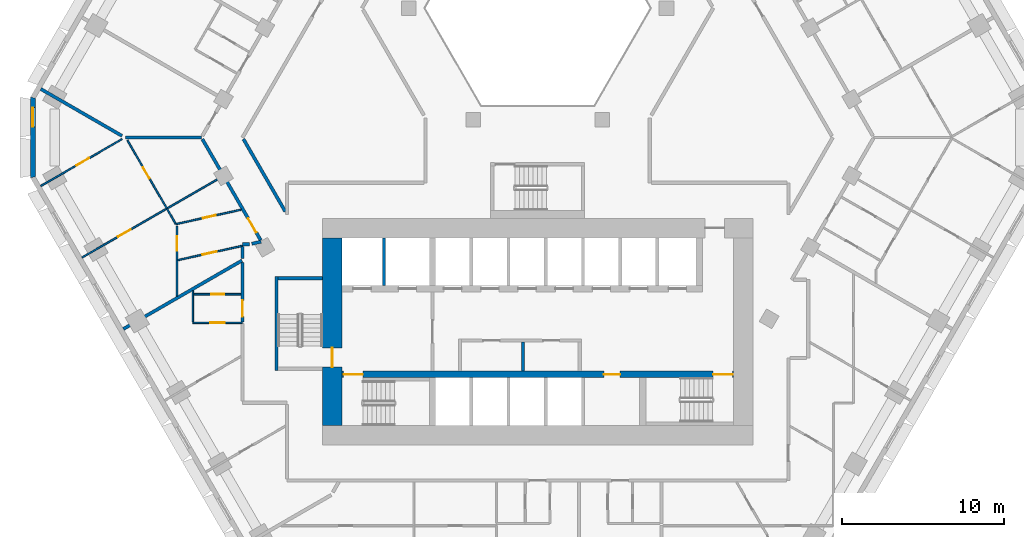
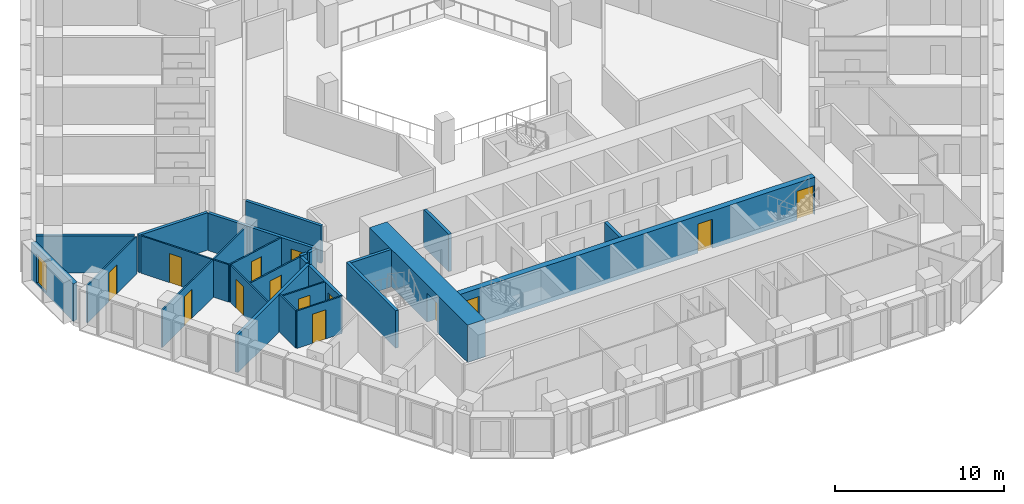
# One storey, part 4 of 16: 26 walls, 14 doors, 1 window, 15 openings.
"""IFC4 building model written with IfcOpenShell, lengths in metres."""

import ifcopenshell
import ifcopenshell.guid

model = None  # the IFC model being written
_history = None  # IfcOwnerHistory: only IFC2X3 demands one
_inside = {}  # id of a spatial element -> (the spatial element, [elements in it])
_under = {}  # id of a project, library or spatial element -> (it, [spatial elements below it])
_declared = {}  # id of a project -> (the project, [libraries it declares])
_typed = {}  # id of a type object -> (the type object, [elements of that type])
_made_of = {}  # id of a material, layer set ... -> (it, [elements and type objects made of it])


def new_model(schema):
    """Start an empty IFC model of exactly this schema.

    Asked for "IFC4X3", IfcOpenShell would pick the latest addendum, in which some entities
    have other attributes; the version numbers below select the first issue.
    IFC2X3 requires an IfcOwnerHistory on every rooted entity: one is made here for all.
    """
    global model, _history
    if schema == "IFC4X3":
        model = ifcopenshell.file(schema_version=(4, 3, 0, 0))
    else:
        model = ifcopenshell.file(schema=schema)
    _inside.clear()
    _under.clear()
    _declared.clear()
    _typed.clear()
    _made_of.clear()
    _history = None
    if model.schema == "IFC2X3":
        org = make("IfcOrganization", Name="unknown")
        user = make(
            "IfcPersonAndOrganization",
            ThePerson=make("IfcPerson", FamilyName="unknown"),
            TheOrganization=org,
        )
        app = make(
            "IfcApplication",
            ApplicationDeveloper=org,
            Version="unknown",
            ApplicationFullName="unknown",
            ApplicationIdentifier="unknown",
        )
        _history = make(
            "IfcOwnerHistory",
            OwningUser=user,
            OwningApplication=app,
            ChangeAction="ADDED",
            CreationDate=0,
        )
    return model


def make(cls, **values):
    """One entity of the class cls with the attributes given. An attribute that is None is left unset."""
    return model.create_entity(
        cls, **{name: value for name, value in values.items() if value is not None}
    )


def rooted(cls, **values):
    """An entity with a GlobalId (a new one), such as an element, a storey or a relation."""
    return make(cls, GlobalId=ifcopenshell.guid.new(), OwnerHistory=_history, **values)


def si_unit(unit_type, name, prefix=None):
    """IfcSIUnit, for example si_unit("LENGTHUNIT", "METRE", prefix="MILLI")."""
    return make("IfcSIUnit", UnitType=unit_type, Prefix=prefix, Name=name)


def assignment(units):
    """IfcUnitAssignment: the units of a project."""
    return None if units is None else make("IfcUnitAssignment", Units=units)


def point(xyz):
    """IfcCartesianPoint."""
    return None if xyz is None else make("IfcCartesianPoint", Coordinates=xyz)


def direction(xyz):
    """IfcDirection."""
    return None if xyz is None else make("IfcDirection", DirectionRatios=xyz)


def frame(location, z_axis=None, x_axis=None):
    """IfcAxis2Placement3D, a coordinate frame: its origin and axes. An axis left out is left unset."""
    return make(
        "IfcAxis2Placement3D",
        Location=point(location),
        Axis=direction(z_axis),
        RefDirection=direction(x_axis),
    )


def frame_2d(location, x_axis=None):
    """IfcAxis2Placement2D, a coordinate frame in the plane: its origin and x axis."""
    return make(
        "IfcAxis2Placement2D", Location=point(location), RefDirection=direction(x_axis)
    )


def origin():
    """The frame at (0, 0, 0) with its axes left unset."""
    return frame((0.0, 0.0, 0.0))


def place(relative_to, where):
    """IfcLocalPlacement: puts the frame where relative to a parent placement (None: the world)."""
    return make(
        "IfcLocalPlacement", PlacementRelTo=relative_to, RelativePlacement=where
    )


def context(
    kind, dimensions, precision=None, world=None, true_north=None, identifier=None
):
    """IfcGeometricRepresentationContext, for example the 3D "Model" context."""
    return make(
        "IfcGeometricRepresentationContext",
        ContextIdentifier=identifier,
        ContextType=kind,
        CoordinateSpaceDimension=dimensions,
        Precision=precision,
        WorldCoordinateSystem=world,
        TrueNorth=true_north,
    )


def subcontext(parent, identifier, kind, view, scale=None):
    """IfcGeometricRepresentationSubContext, for example "Body" below "Model"."""
    return make(
        "IfcGeometricRepresentationSubContext",
        ContextIdentifier=identifier,
        ContextType=kind,
        ParentContext=parent,
        TargetScale=scale,
        TargetView=view,
    )


def project(units=None, contexts=None):
    """IfcProject with its units and contexts."""
    return rooted(
        "IfcProject",
        Name="project",
        RepresentationContexts=contexts,
        UnitsInContext=assignment(units),
    )


def spatial(cls, under=None, at=None, **own):
    """A site, building, storey or space (cls), placed at a placement, below another one or the project."""
    s = rooted(cls, ObjectPlacement=at, **own)
    if under is not None:
        _under.setdefault(under.id(), (under, []))[1].append(s)
    return s


def polyline(points):
    """IfcPolyline through the points."""
    return make("IfcPolyline", Points=[point(p) for p in points])


def profile(cls, at=None, kind="AREA", **sizes):
    """A parametric profile (cls). Its sizes go by their IFC names, for example OverallWidth=200.0."""
    return make(cls, ProfileType=kind, Position=at, **sizes)


def rectangle(**sizes):
    """IfcRectangleProfileDef."""
    return profile("IfcRectangleProfileDef", **sizes)


def outline(outer, holes=None, kind="AREA"):
    """IfcArbitraryClosedProfileDef: a profile drawn as a closed curve; with holes, ...WithVoids."""
    if holes is None:
        return make("IfcArbitraryClosedProfileDef", ProfileType=kind, OuterCurve=outer)
    return make(
        "IfcArbitraryProfileDefWithVoids",
        ProfileType=kind,
        OuterCurve=outer,
        InnerCurves=holes,
    )


def extrude(swept, where, along, depth):
    """IfcExtrudedAreaSolid: the profile swept, set in the frame where, extruded along a direction by depth."""
    return make(
        "IfcExtrudedAreaSolid",
        SweptArea=swept,
        Position=where,
        ExtrudedDirection=direction(along),
        Depth=depth,
    )


def shape(context_of_items, identifier, shape_type, items):
    """IfcShapeRepresentation: the items that make up one representation, for example the "Body"."""
    return make(
        "IfcShapeRepresentation",
        ContextOfItems=context_of_items,
        RepresentationIdentifier=identifier,
        RepresentationType=shape_type,
        Items=items,
    )


def material(Name=None, Category=None):
    """IfcMaterial."""
    return make("IfcMaterial", Name=Name, Category=Category)


def layer(
    of_material, thickness, ventilated=None, Name=None, Category=None, Priority=None
):
    """IfcMaterialLayer: one layer of a wall or slab, of a material (None: an air gap)."""
    return make(
        "IfcMaterialLayer",
        Material=of_material,
        LayerThickness=thickness,
        IsVentilated=ventilated,
        Name=Name,
        Category=Category,
        Priority=Priority,
    )


def layer_set(layers, Name=None):
    """IfcMaterialLayerSet."""
    return make("IfcMaterialLayerSet", MaterialLayers=layers, LayerSetName=Name)


def made_of(thing, what):
    """Note that an element or type object is made of a material, layer set ...; save() writes the relation."""
    if what is not None:
        _made_of.setdefault(what.id(), (what, []))[1].append(thing)
    return thing


def type_object(cls, material=None, **own):
    """A type object (cls), such as IfcWallType, which elements share."""
    return made_of(rooted(cls, **own), material)


def element(
    cls,
    number,
    at=None,
    inside=None,
    cuts=None,
    type_object=None,
    material=None,
    context=None,
    identifier="Body",
    shape_type=None,
    held_by="IfcProductDefinitionShape",
    body=None,
    shapes=None,
    **own,
):
    """One element of the class cls, such as IfcWall. Its Tag is "e" and its number.

    at: its placement. inside: the storey or other place that contains it. cuts: it is an
    opening in that element (IfcRelVoidsElement). A single representation is given by context,
    identifier, shape_type and body (its items); several are given by shapes. held_by: the class
    of the entity that holds the representations. save() writes the other relations.
    """
    e = rooted(cls, Tag="e%d" % number, ObjectPlacement=at, **own)
    if body is not None:
        shapes = [shape(context, identifier, shape_type, body)]
    if shapes is not None:
        e.Representation = make(held_by, Representations=shapes)
    if inside is not None:
        _inside.setdefault(inside.id(), (inside, []))[1].append(e)
    if cuts is not None:
        rooted(
            "IfcRelVoidsElement", RelatingBuildingElement=cuts, RelatedOpeningElement=e
        )
    if type_object is not None:
        _typed.setdefault(type_object.id(), (type_object, []))[1].append(e)
    return made_of(e, material)


def fill(opening, filler):
    """IfcRelFillsElement: the door or window that sits in an opening."""
    return rooted(
        "IfcRelFillsElement",
        RelatingOpeningElement=opening,
        RelatedBuildingElement=filler,
    )


def aggregate(whole, parts):
    """IfcRelAggregates: a whole, such as a stair, and the parts it consists of."""
    return rooted("IfcRelAggregates", RelatingObject=whole, RelatedObjects=parts)


def save(model, path):
    """Write the relations noted so far, then the file.

    IfcRelAggregates (storeys below a building ...), IfcRelContainedInSpatialStructure (elements
    in a storey), IfcRelDefinesByType, IfcRelAssociatesMaterial and IfcRelDeclares: one each for
    every whole, place, type object, material and project.
    """
    for whole, parts in _under.values():
        aggregate(whole, parts)
    for where, things in _inside.values():
        rooted(
            "IfcRelContainedInSpatialStructure",
            RelatedElements=things,
            RelatingStructure=where,
        )
    for kind, things in _typed.values():
        rooted("IfcRelDefinesByType", RelatedObjects=things, RelatingType=kind)
    for what, things in _made_of.values():
        rooted("IfcRelAssociatesMaterial", RelatedObjects=things, RelatingMaterial=what)
    for by, libraries in _declared.values():
        rooted("IfcRelDeclares", RelatingContext=by, RelatedDefinitions=libraries)
    model.write(path)


model = new_model("IFC4")

# Units and contexts
model_context = context("Model", 3, precision=1e-05, world=origin(), true_north=direction((0.0, 1.0)))
body_context = subcontext(model_context, "Body", "Model", "MODEL_VIEW")
ifc_project = project(units=[si_unit("LENGTHUNIT", "METRE"), si_unit("AREAUNIT", "SQUARE_METRE"), si_unit("VOLUMEUNIT", "CUBIC_METRE"), si_unit("PLANEANGLEUNIT", "RADIAN"), si_unit("MASSUNIT", "GRAM", prefix="KILO")], contexts=[model_context])

# Site, building, storey
site_placement = place(None, origin())
site = spatial("IfcSite", under=ifc_project, at=site_placement, CompositionType="ELEMENT")
building_placement = place(site_placement, origin())
building = spatial("IfcBuilding", under=site, at=building_placement, Name="Beryl Residences", CompositionType="ELEMENT")
storey_placement = place(building_placement, frame((0.0, 0.0, 38.39990234375)))
storey = spatial("IfcBuildingStorey", under=building, at=storey_placement, Name="L11", CompositionType="ELEMENT", Elevation=38.39990234375)

# Wall, opening, window
ifc_material_1 = material(Name="Composite metal panel with mineral wool insulation")
ifc_layer_1 = layer(ifc_material_1, 0.300048828125)
ifc_layer_set_1 = layer_set([ifc_layer_1], Name="ES1 pale metal composite panel wall 300 mm")
wall_type_1 = type_object("IfcWallType", Name="ES1 pale metal composite panel wall 300 mm", PredefinedType="SOLIDWALL", material=ifc_layer_set_1)
wall_1_placement = place(storey_placement, frame((-31.199951171875, 2.5, 0.0), z_axis=(0.0, 0.0, 1.0), x_axis=(0.0, -1.0, 0.0)))
wall_1 = element("IfcWall", 1, at=wall_1_placement, inside=storey, type_object=wall_type_1, Name="ES1 external wall L11 NW-SW", PredefinedType="SOLIDWALL", context=body_context, shape_type="SweptSolid", body=[
    extrude(outline(polyline([(0.0, -0.14990234375), (5.0, -0.14990234375), (4.919677734375, 0.14990234375), (0.080322265625, 0.14990234375), (0.0, -0.14990234375)])), origin(), (0.0, 0.0, 1.0), 2.7001953125),
])
opening_1_placement = place(wall_1_placement, frame((0.64990234375, 0.0, 0.14990234375)))
opening_1 = element("IfcOpeningElement", 2, at=opening_1_placement, cuts=wall_1, Name="Opening W2", PredefinedType="OPENING", context=body_context, shape_type="SweptSolid", body=[
    extrude(rectangle(XDim=1.199951171875, YDim=2.10009765625, at=frame_2d((0.60009765625, 1.050048828125))), frame((0.0, 0.159912109375, 0.0), z_axis=(0.0, -1.0, 0.0), x_axis=(1.0, 0.0, 0.0)), (0.0, 0.0, 1.0), 0.320068359375),
])
ifc_material_2 = material(Name="Aluminium and clear glass", Category="aluminium")
window_type = type_object("IfcWindowType", Name="W2 chamfer window 1200 x 2100 mm", PartitioningType="SINGLE_PANEL", PredefinedType="WINDOW", material=ifc_material_2)
window_placement = place(opening_1_placement, origin())
window = element("IfcWindow", 3, at=window_placement, inside=storey, type_object=window_type, Name="W2 window L11 NW-SW 1", OverallHeight=2.10009765625, OverallWidth=1.199951171875, PartitioningType="SINGLE_PANEL", PredefinedType="WINDOW", context=body_context, shape_type="SweptSolid", body=[
    extrude(rectangle(XDim=1.199951171875, YDim=2.10009765625, at=frame_2d((0.60009765625, 1.050048828125))), frame((0.0, 0.030029296875, 0.0), z_axis=(0.0, -1.0, 0.0), x_axis=(1.0, 0.0, 0.0)), (0.0, 0.0, 1.0), 0.06005859375),
])
fill(opening_1, window)

# Wall, opening, door
ifc_material_3 = material(Name="Gypsum board partition on steel studs", Category="steel")
ifc_layer_2 = layer(ifc_material_3, 0.10009765625)
ifc_layer_set_2 = layer_set([ifc_layer_2], Name="PT1 partition 100 mm gypsum board on steel studs")
wall_type_2 = type_object("IfcWallType", Name="PT1 partition 100 mm gypsum board on steel studs", PredefinedType="PARTITIONING", material=ifc_layer_set_2)
wall_2_placement = place(storey_placement, frame((-25.35791015625, -0.174072265625, 0.0), z_axis=(0.0, 0.0, 1.0), x_axis=(0.500093956194, -0.865971151354, 0.0)))
wall_2 = element("IfcWall", 4, at=wall_2_placement, inside=storey, type_object=wall_type_2, Name="Wall PT1 L11 002", PredefinedType="PARTITIONING", context=body_context, shape_type="SweptSolid", body=[
    extrude(rectangle(XDim=4.873046875, YDim=0.10009765625, at=frame_2d((2.4365234375, 0.0))), origin(), (0.0, 0.0, 1.0), 2.7001953125),
])
opening_2_placement = place(wall_2_placement, frame((1.93701171875, 0.0, 0.0)))
opening_2 = element("IfcOpeningElement", 5, at=opening_2_placement, cuts=wall_2, Name="Opening D0418", PredefinedType="OPENING", context=body_context, shape_type="SweptSolid", body=[
    extrude(rectangle(XDim=0.800048828125, YDim=2.10009765625, at=frame_2d((0.39990234375, 1.050048828125))), frame((0.0, 0.06005859375, 0.0), z_axis=(0.0, -1.0, 0.0), x_axis=(1.0, 0.0, 0.0)), (0.0, 0.0, 1.0), 0.1201171875),
])
ifc_material_4 = material(Name="Timber door leaf", Category="wood")
door_type_1 = type_object("IfcDoorType", Name="D3 bathroom door 800 x 2100 mm", OperationType="SINGLE_SWING_LEFT", PredefinedType="DOOR", material=ifc_material_4)
door_1_placement = place(opening_2_placement, origin())
door_1 = element("IfcDoor", 6, at=door_1_placement, inside=storey, type_object=door_type_1, Name="Door D0418 L11 001", OperationType="SINGLE_SWING_RIGHT", OverallHeight=2.10009765625, OverallWidth=0.800048828125, PredefinedType="DOOR", context=body_context, shape_type="SweptSolid", body=[
    extrude(rectangle(XDim=0.800048828125, YDim=2.10009765625, at=frame_2d((0.39990234375, 1.050048828125))), frame((0.0, 0.02490234375, 0.0), z_axis=(0.0, -1.0, 0.0), x_axis=(1.0, 0.0, 0.0)), (0.0, 0.0, 1.0), 0.050048828125),
])
fill(opening_2, door_1)

# Wall
wall_3_placement = place(storey_placement, frame((-21.31005859375, -9.47412109375, 0.0), z_axis=(0.0, 0.0, 1.0), x_axis=(0.0, -1.0, 0.0)))
element("IfcWall", 7, at=wall_3_placement, inside=storey, type_object=wall_type_2, Name="Wall PT1 L11 010", PredefinedType="PARTITIONING", context=body_context, shape_type="SweptSolid", body=[
    extrude(rectangle(XDim=1.931884765625, YDim=0.10009765625, at=frame_2d((0.9658203125, 0.0))), origin(), (0.0, 0.0, 1.0), 2.7001953125),
])

# Wall, opening, door
wall_4_placement = place(storey_placement, frame((-21.260009765625, -9.68896484375, 0.0), z_axis=(0.0, 0.0, 1.0), x_axis=(1.0, 0.0, 0.0)))
wall_4 = element("IfcWall", 8, at=wall_4_placement, inside=storey, type_object=wall_type_2, Name="Wall PT1 L11 027", PredefinedType="PARTITIONING", context=body_context, shape_type="SweptSolid", body=[
    extrude(rectangle(XDim=2.909912109375, YDim=0.10009765625, at=frame_2d((1.455078125, 0.0))), origin(), (0.0, 0.0, 1.0), 2.7001953125),
])
opening_3_placement = place(wall_4_placement, frame((1.080078125, 0.0, 0.0)))
opening_3 = element("IfcOpeningElement", 9, at=opening_3_placement, cuts=wall_4, Name="Opening D0421", PredefinedType="OPENING", context=body_context, shape_type="SweptSolid", body=[
    extrude(rectangle(XDim=0.800048828125, YDim=2.10009765625, at=frame_2d((0.39990234375, 1.050048828125))), frame((0.0, 0.06005859375, 0.0), z_axis=(0.0, -1.0, 0.0), x_axis=(1.0, 0.0, 0.0)), (0.0, 0.0, 1.0), 0.1201171875),
])
door_2_placement = place(opening_3_placement, origin())
door_2 = element("IfcDoor", 10, at=door_2_placement, inside=storey, type_object=door_type_1, Name="Door D0421 L11 001", OperationType="SINGLE_SWING_LEFT", OverallHeight=2.10009765625, OverallWidth=0.800048828125, PredefinedType="DOOR", context=body_context, shape_type="SweptSolid", body=[
    extrude(rectangle(XDim=0.800048828125, YDim=2.10009765625, at=frame_2d((0.39990234375, 1.050048828125))), frame((0.0, 0.02490234375, 0.0), z_axis=(0.0, -1.0, 0.0), x_axis=(1.0, 0.0, 0.0)), (0.0, 0.0, 1.0), 0.050048828125),
])
fill(opening_3, door_2)

wall_5_placement = place(storey_placement, frame((-21.30908203125, -11.45703125, 0.0), z_axis=(0.0, 0.0, 1.0), x_axis=(1.0, 0.0, 0.0)))
wall_5 = element("IfcWall", 11, at=wall_5_placement, inside=storey, type_object=wall_type_2, Name="Wall PT1 L11 028", PredefinedType="PARTITIONING", context=body_context, shape_type="SweptSolid", body=[
    extrude(rectangle(XDim=3.05908203125, YDim=0.10009765625, at=frame_2d((1.529541015625, 0.0))), origin(), (0.0, 0.0, 1.0), 2.7001953125),
])
opening_4_placement = place(wall_5_placement, frame((1.0791015625, 0.0, 0.0)))
opening_4 = element("IfcOpeningElement", 12, at=opening_4_placement, cuts=wall_5, Name="Opening D0420", PredefinedType="OPENING", context=body_context, shape_type="SweptSolid", body=[
    extrude(rectangle(XDim=0.89990234375, YDim=2.10009765625, at=frame_2d((0.449951171875, 1.050048828125))), frame((0.0, 0.06005859375, 0.0), z_axis=(0.0, -1.0, 0.0), x_axis=(1.0, 0.0, 0.0)), (0.0, 0.0, 1.0), 0.1201171875),
])
ifc_material_5 = material(Name="Timber door leaf", Category="wood")
door_type_2 = type_object("IfcDoorType", Name="D2 room door 900 x 2100 mm", OperationType="SINGLE_SWING_LEFT", PredefinedType="DOOR", material=ifc_material_5)
door_3_placement = place(opening_4_placement, origin())
door_3 = element("IfcDoor", 13, at=door_3_placement, inside=storey, type_object=door_type_2, Name="Door D0420 L11 001", OperationType="SINGLE_SWING_RIGHT", OverallHeight=2.10009765625, OverallWidth=0.89990234375, PredefinedType="DOOR", context=body_context, shape_type="SweptSolid", body=[
    extrude(rectangle(XDim=0.89990234375, YDim=2.10009765625, at=frame_2d((0.449951171875, 1.050048828125))), frame((0.0, 0.02490234375, 0.0), z_axis=(0.0, -1.0, 0.0), x_axis=(1.0, 0.0, 0.0)), (0.0, 0.0, 1.0), 0.050048828125),
])
fill(opening_4, door_3)

wall_6_placement = place(storey_placement, frame((-22.297119140625, -9.81298828125, 0.0), z_axis=(0.0, 0.0, 1.0), x_axis=(0.0, 1.0, 0.0)))
wall_6 = element("IfcWall", 14, at=wall_6_placement, inside=storey, type_object=wall_type_2, Name="Wall PT1 L11 058", PredefinedType="PARTITIONING", context=body_context, shape_type="SweptSolid", body=[
    extrude(rectangle(XDim=4.337890625, YDim=0.10009765625, at=frame_2d((2.1689453125, 0.0))), origin(), (0.0, 0.0, 1.0), 2.7001953125),
])
opening_5_placement = place(wall_6_placement, frame((2.818115234375, 0.0, 0.0)))
opening_5 = element("IfcOpeningElement", 15, at=opening_5_placement, cuts=wall_6, Name="Opening D0415", PredefinedType="OPENING", context=body_context, shape_type="SweptSolid", body=[
    extrude(rectangle(XDim=0.89990234375, YDim=2.10009765625, at=frame_2d((0.449951171875, 1.050048828125))), frame((0.0, 0.06005859375, 0.0), z_axis=(0.0, -1.0, 0.0), x_axis=(1.0, 0.0, 0.0)), (0.0, 0.0, 1.0), 0.1201171875),
])
door_4_placement = place(opening_5_placement, origin())
door_4 = element("IfcDoor", 16, at=door_4_placement, inside=storey, type_object=door_type_2, Name="Door D0415 L11 001", OperationType="SINGLE_SWING_LEFT", OverallHeight=2.10009765625, OverallWidth=0.89990234375, PredefinedType="DOOR", context=body_context, shape_type="SweptSolid", body=[
    extrude(rectangle(XDim=0.89990234375, YDim=2.10009765625, at=frame_2d((0.449951171875, 1.050048828125))), frame((0.0, 0.02490234375, 0.0), z_axis=(0.0, -1.0, 0.0), x_axis=(1.0, 0.0, 0.0)), (0.0, 0.0, 1.0), 0.050048828125),
])
fill(opening_5, door_4)

wall_7_placement = place(storey_placement, frame((-22.364990234375, -5.35693359375, 0.0), z_axis=(0.0, 0.0, 1.0), x_axis=(0.976339488582, 0.216243388421, 0.0)))
wall_7 = element("IfcWall", 17, at=wall_7_placement, inside=storey, type_object=wall_type_2, Name="Wall PT1 L11 060", PredefinedType="PARTITIONING", context=body_context, shape_type="SweptSolid", body=[
    extrude(rectangle(XDim=4.138916015625, YDim=0.10009765625, at=frame_2d((2.0693359375, 0.0))), origin(), (0.0, 0.0, 1.0), 2.7001953125),
])
opening_6_placement = place(wall_7_placement, frame((1.721923828125, 0.0, 0.0)))
opening_6 = element("IfcOpeningElement", 18, at=opening_6_placement, cuts=wall_7, Name="Opening D0413", PredefinedType="OPENING", context=body_context, shape_type="SweptSolid", body=[
    extrude(rectangle(XDim=0.800048828125, YDim=2.10009765625, at=frame_2d((0.39990234375, 1.050048828125))), frame((0.0, 0.06005859375, 0.0), z_axis=(0.0, -1.0, 0.0), x_axis=(1.0, 0.0, 0.0)), (0.0, 0.0, 1.0), 0.1201171875),
])
door_5_placement = place(opening_6_placement, origin())
door_5 = element("IfcDoor", 19, at=door_5_placement, inside=storey, type_object=door_type_1, Name="Door D0413 L11 001", OperationType="SINGLE_SWING_LEFT", OverallHeight=2.10009765625, OverallWidth=0.800048828125, PredefinedType="DOOR", context=body_context, shape_type="SweptSolid", body=[
    extrude(rectangle(XDim=0.800048828125, YDim=2.10009765625, at=frame_2d((0.39990234375, 1.050048828125))), frame((0.0, 0.02490234375, 0.0), z_axis=(0.0, -1.0, 0.0), x_axis=(1.0, 0.0, 0.0)), (0.0, 0.0, 1.0), 0.050048828125),
])
fill(opening_6, door_5)

wall_8_placement = place(storey_placement, frame((-22.2470703125, -7.583984375, 0.0), z_axis=(0.0, 0.0, 1.0), x_axis=(0.97635375062, 0.216178985219, 0.0)))
wall_8 = element("IfcWall", 20, at=wall_8_placement, inside=storey, type_object=wall_type_2, Name="Wall PT1 L11 061", PredefinedType="PARTITIONING", context=body_context, shape_type="SweptSolid", body=[
    extrude(rectangle(XDim=4.093994140625, YDim=0.10009765625, at=frame_2d((2.046875, 0.0))), origin(), (0.0, 0.0, 1.0), 2.7001953125),
])
opening_7_placement = place(wall_8_placement, frame((1.571044921875, 0.0, 0.0)))
opening_7 = element("IfcOpeningElement", 21, at=opening_7_placement, cuts=wall_8, Name="Opening D0414", PredefinedType="OPENING", context=body_context, shape_type="SweptSolid", body=[
    extrude(rectangle(XDim=0.89990234375, YDim=2.10009765625, at=frame_2d((0.449951171875, 1.050048828125))), frame((0.0, 0.06005859375, 0.0), z_axis=(0.0, -1.0, 0.0), x_axis=(1.0, 0.0, 0.0)), (0.0, 0.0, 1.0), 0.1201171875),
])
door_6_placement = place(opening_7_placement, origin())
door_6 = element("IfcDoor", 22, at=door_6_placement, inside=storey, type_object=door_type_2, Name="Door D0414 L11 001", OperationType="SINGLE_SWING_RIGHT", OverallHeight=2.10009765625, OverallWidth=0.89990234375, PredefinedType="DOOR", context=body_context, shape_type="SweptSolid", body=[
    extrude(rectangle(XDim=0.89990234375, YDim=2.10009765625, at=frame_2d((0.449951171875, 1.050048828125))), frame((0.0, 0.02490234375, 0.0), z_axis=(0.0, -1.0, 0.0), x_axis=(1.0, 0.0, 0.0)), (0.0, 0.0, 1.0), 0.050048828125),
])
fill(opening_7, door_6)

wall_9_placement = place(storey_placement, frame((-28.1630859375, -7.419921875, 0.0), z_axis=(0.0, 0.0, 1.0), x_axis=(0.866065245018, 0.499930986609, 0.0)))
wall_9 = element("IfcWall", 23, at=wall_9_placement, inside=storey, type_object=wall_type_2, Name="Wall PT1 L11 066", PredefinedType="PARTITIONING", context=body_context, shape_type="SweptSolid", body=[
    extrude(rectangle(XDim=9.99951171875, YDim=0.10009765625, at=frame_2d((4.999755859375, 0.0))), origin(), (0.0, 0.0, 1.0), 2.7001953125),
])
opening_8_placement = place(wall_9_placement, frame((2.575927734375, 0.0, 0.0)))
opening_8 = element("IfcOpeningElement", 24, at=opening_8_placement, cuts=wall_9, Name="Opening D0416", PredefinedType="OPENING", context=body_context, shape_type="SweptSolid", body=[
    extrude(rectangle(XDim=0.89990234375, YDim=2.10009765625, at=frame_2d((0.449951171875, 1.050048828125))), frame((0.0, 0.06005859375, 0.0), z_axis=(0.0, -1.0, 0.0), x_axis=(1.0, 0.0, 0.0)), (0.0, 0.0, 1.0), 0.1201171875),
])
door_7_placement = place(opening_8_placement, origin())
door_7 = element("IfcDoor", 25, at=door_7_placement, inside=storey, type_object=door_type_2, Name="Door D0416 L11 001", OperationType="SINGLE_SWING_RIGHT", OverallHeight=2.10009765625, OverallWidth=0.89990234375, PredefinedType="DOOR", context=body_context, shape_type="SweptSolid", body=[
    extrude(rectangle(XDim=0.89990234375, YDim=2.10009765625, at=frame_2d((0.449951171875, 1.050048828125))), frame((0.0, 0.02490234375, 0.0), z_axis=(0.0, -1.0, 0.0), x_axis=(1.0, 0.0, 0.0)), (0.0, 0.0, 1.0), 0.050048828125),
])
fill(opening_8, door_7)

wall_10_placement = place(storey_placement, frame((-30.715087890625, -3.0, 0.0), z_axis=(0.0, 0.0, 1.0), x_axis=(0.866116197112, 0.49984270836, 0.0)))
wall_10 = element("IfcWall", 26, at=wall_10_placement, inside=storey, type_object=wall_type_2, Name="Wall PT1 L11 067", PredefinedType="PARTITIONING", context=body_context, shape_type="SweptSolid", body=[
    extrude(rectangle(XDim=5.799560546875, YDim=0.10009765625, at=frame_2d((2.89990234375, 0.0))), origin(), (0.0, 0.0, 1.0), 2.7001953125),
])
opening_9_placement = place(wall_10_placement, frame((2.550048828125, 0.0, 0.0)))
opening_9 = element("IfcOpeningElement", 27, at=opening_9_placement, cuts=wall_10, Name="Opening D0417", PredefinedType="OPENING", context=body_context, shape_type="SweptSolid", body=[
    extrude(rectangle(XDim=0.89990234375, YDim=2.10009765625, at=frame_2d((0.449951171875, 1.050048828125))), frame((0.0, 0.06005859375, 0.0), z_axis=(0.0, -1.0, 0.0), x_axis=(1.0, 0.0, 0.0)), (0.0, 0.0, 1.0), 0.1201171875),
])
door_8_placement = place(opening_9_placement, origin())
door_8 = element("IfcDoor", 28, at=door_8_placement, inside=storey, type_object=door_type_2, Name="Door D0417 L11 001", OperationType="SINGLE_SWING_LEFT", OverallHeight=2.10009765625, OverallWidth=0.89990234375, PredefinedType="DOOR", context=body_context, shape_type="SweptSolid", body=[
    extrude(rectangle(XDim=0.89990234375, YDim=2.10009765625, at=frame_2d((0.449951171875, 1.050048828125))), frame((0.0, 0.02490234375, 0.0), z_axis=(0.0, -1.0, 0.0), x_axis=(1.0, 0.0, 0.0)), (0.0, 0.0, 1.0), 0.050048828125),
])
fill(opening_9, door_8)

# Walls
wall_11_placement = place(storey_placement, frame((-22.9208984375, -4.39404296875, 0.0), z_axis=(0.0, 0.0, 1.0), x_axis=(0.499565963512, -0.866275849889, 0.0)))
element("IfcWall", 29, at=wall_11_placement, inside=storey, type_object=wall_type_2, Name="Wall PT1 L11 071", PredefinedType="PARTITIONING", context=body_context, shape_type="SweptSolid", body=[
    extrude(rectangle(XDim=1.08056640625, YDim=0.10009765625, at=frame_2d((0.540283203125, 0.0))), origin(), (0.0, 0.0, 1.0), 2.7001953125),
])
ifc_material_6 = material(Name="Acoustic double stud gypsum board wall")
ifc_layer_3 = layer(ifc_material_6, 0.199951171875)
ifc_layer_set_3 = layer_set([ifc_layer_3], Name="PT3 party wall 200 mm acoustic double stud")
wall_type_3 = type_object("IfcWallType", Name="PT3 party wall 200 mm acoustic double stud", PredefinedType="PARTITIONING", material=ifc_layer_set_3)
wall_12_placement = place(storey_placement, frame((-30.716064453125, 2.9990234375, 0.0), z_axis=(0.0, 0.0, 1.0), x_axis=(0.866032775405, -0.499987231761, 0.0)))
element("IfcWall", 30, at=wall_12_placement, inside=storey, type_object=wall_type_3, Name="Wall PT3 L11 006", PredefinedType="PARTITIONING", context=body_context, shape_type="SweptSolid", body=[
    extrude(rectangle(XDim=5.800048828125, YDim=0.199951171875, at=frame_2d((2.89990234375, 0.0))), origin(), (0.0, 0.0, 1.0), 2.7001953125),
])
wall_13_placement = place(storey_placement, frame((-25.47802734375, -0.0009765625, 0.0), z_axis=(0.0, 0.0, 1.0), x_axis=(1.0, 0.0, 0.0)))
element("IfcWall", 31, at=wall_13_placement, inside=storey, type_object=wall_type_3, Name="Wall PT3 L11 012", PredefinedType="PARTITIONING", context=body_context, shape_type="SweptSolid", body=[
    extrude(rectangle(XDim=4.694091796875, YDim=0.199951171875, at=frame_2d((2.34716796875, 0.0))), origin(), (0.0, 0.0, 1.0), 2.7001953125),
])
wall_14_placement = place(storey_placement, frame((-17.6689453125, -6.570068359375, 0.0), z_axis=(0.0, 0.0, 1.0), x_axis=(0.976422724526, 0.215867234728, 0.0)))
element("IfcWall", 32, at=wall_14_placement, inside=storey, type_object=wall_type_3, Name="Wall PT3 L11 020", PredefinedType="PARTITIONING", context=body_context, shape_type="SweptSolid", body=[
    extrude(rectangle(XDim=0.58349609375, YDim=0.199951171875, at=frame_2d((0.291748046875, 0.0))), origin(), (0.0, 0.0, 1.0), 2.7001953125),
])
wall_15_placement = place(storey_placement, frame((-25.610107421875, -11.841064453125, 0.0), z_axis=(0.0, 0.0, 1.0), x_axis=(0.866019023803, 0.500011050288, 0.0)))
element("IfcWall", 33, at=wall_15_placement, inside=storey, type_object=wall_type_3, Name="Wall PT3 L11 024", PredefinedType="PARTITIONING", context=body_context, shape_type="SweptSolid", body=[
    extrude(rectangle(XDim=8.469970703125, YDim=0.199951171875, at=frame_2d((4.23486328125, 0.0))), origin(), (0.0, 0.0, 1.0), 2.7001953125),
])
ifc_material_7 = material(Name="Double stud gypsum board wall")
ifc_layer_4 = layer(ifc_material_7, 0.199951171875)
ifc_layer_set_4 = layer_set([ifc_layer_4], Name="PT4 corridor wall 200 mm double stud")
wall_type_4 = type_object("IfcWallType", Name="PT4 corridor wall 200 mm double stud", PredefinedType="PARTITIONING", material=ifc_layer_set_4)
wall_16_placement = place(storey_placement, frame((-18.18603515625, -0.10107421875, 0.0), z_axis=(0.0, 0.0, 1.0), x_axis=(0.499997591167, -0.86602679452, 0.0)))
element("IfcWall", 34, at=wall_16_placement, inside=storey, type_object=wall_type_4, Name="Wall PT4 L11 002", PredefinedType="PARTITIONING", context=body_context, shape_type="SweptSolid", body=[
    extrude(rectangle(XDim=5.171875, YDim=0.199951171875, at=frame_2d((2.5859375, 0.0))), origin(), (0.0, 0.0, 1.0), 2.7001953125),
])

# Wall, opening, door
wall_17_placement = place(storey_placement, frame((-20.72705078125, -0.10107421875, 0.0), z_axis=(0.0, 0.0, 1.0), x_axis=(0.500049702773, -0.865996705973, 0.0)))
wall_17 = element("IfcWall", 35, at=wall_17_placement, inside=storey, type_object=wall_type_4, Name="Wall PT4 L11 003", PredefinedType="PARTITIONING", context=body_context, shape_type="SweptSolid", body=[
    extrude(rectangle(XDim=7.211181640625, YDim=0.199951171875, at=frame_2d((3.60546875, 0.0))), origin(), (0.0, 0.0, 1.0), 2.7001953125),
])
opening_10_placement = place(wall_17_placement, frame((5.654052734375, 0.0, 0.0)))
opening_10 = element("IfcOpeningElement", 36, at=opening_10_placement, cuts=wall_17, Name="Opening D0412", PredefinedType="OPENING", context=body_context, shape_type="SweptSolid", body=[
    extrude(rectangle(XDim=1.0, YDim=2.10009765625, at=frame_2d((0.5, 1.050048828125))), frame((0.0, 0.10986328125, 0.0), z_axis=(0.0, -1.0, 0.0), x_axis=(1.0, 0.0, 0.0)), (0.0, 0.0, 1.0), 0.219970703125),
])
ifc_material_8 = material(Name="Timber door leaf", Category="wood")
door_type_3 = type_object("IfcDoorType", Name="D1 flat entrance door 1000 x 2100 mm", OperationType="SINGLE_SWING_LEFT", PredefinedType="DOOR", material=ifc_material_8)
door_9_placement = place(opening_10_placement, origin())
door_9 = element("IfcDoor", 37, at=door_9_placement, inside=storey, type_object=door_type_3, Name="Door D0412 L11 001", OperationType="SINGLE_SWING_RIGHT", OverallHeight=2.10009765625, OverallWidth=1.0, PredefinedType="DOOR", context=body_context, shape_type="SweptSolid", body=[
    extrude(rectangle(XDim=1.0, YDim=2.10009765625, at=frame_2d((0.5, 1.050048828125))), frame((0.0, 0.02490234375, 0.0), z_axis=(0.0, -1.0, 0.0), x_axis=(1.0, 0.0, 0.0)), (0.0, 0.0, 1.0), 0.050048828125),
])
fill(opening_10, door_9)

# Wall
wall_18_placement = place(storey_placement, frame((-18.25, -6.60009765625, 0.0), z_axis=(0.0, 0.0, 1.0), x_axis=(1.0, 0.0, 0.0)))
element("IfcWall", 38, at=wall_18_placement, inside=storey, type_object=wall_type_4, Name="Wall PT4 L11 009", PredefinedType="PARTITIONING", context=body_context, shape_type="SweptSolid", body=[
    extrude(rectangle(XDim=0.445068359375, YDim=0.199951171875, at=frame_2d((0.22265625, 0.0))), origin(), (0.0, 0.0, 1.0), 2.7001953125),
])

# Wall, opening, door
wall_19_placement = place(storey_placement, frame((-18.25, -11.406982421875, 0.0), z_axis=(0.0, 0.0, 1.0), x_axis=(0.0, 1.0, 0.0)))
wall_19 = element("IfcWall", 39, at=wall_19_placement, inside=storey, type_object=wall_type_4, Name="Wall PT4 L11 031", PredefinedType="PARTITIONING", context=body_context, shape_type="SweptSolid", body=[
    extrude(rectangle(XDim=3.6650390625, YDim=0.199951171875, at=frame_2d((1.83251953125, 0.0))), origin(), (0.0, 0.0, 1.0), 2.7001953125),
])
opening_11_placement = place(wall_19_placement, frame((0.333984375, 0.0, 0.0)))
opening_11 = element("IfcOpeningElement", 40, at=opening_11_placement, cuts=wall_19, Name="Opening D0419", PredefinedType="OPENING", context=body_context, shape_type="SweptSolid", body=[
    extrude(rectangle(XDim=1.0, YDim=2.10009765625, at=frame_2d((0.5, 1.050048828125))), frame((0.0, 0.10986328125, 0.0), z_axis=(0.0, -1.0, 0.0), x_axis=(1.0, 0.0, 0.0)), (0.0, 0.0, 1.0), 0.219970703125),
])
door_10_placement = place(opening_11_placement, origin())
door_10 = element("IfcDoor", 41, at=door_10_placement, inside=storey, type_object=door_type_3, Name="Door D0419 L11 001", OperationType="SINGLE_SWING_LEFT", OverallHeight=2.10009765625, OverallWidth=1.0, PredefinedType="DOOR", context=body_context, shape_type="SweptSolid", body=[
    extrude(rectangle(XDim=1.0, YDim=2.10009765625, at=frame_2d((0.5, 1.050048828125))), frame((0.0, 0.02490234375, 0.0), z_axis=(0.0, -1.0, 0.0), x_axis=(1.0, 0.0, 0.0)), (0.0, 0.0, 1.0), 0.050048828125),
])
fill(opening_11, door_10)

# Walls
wall_20_placement = place(storey_placement, frame((-18.25, -7.47607421875, 0.0), z_axis=(0.0, 0.0, 1.0), x_axis=(0.0, 1.0, 0.0)))
element("IfcWall", 42, at=wall_20_placement, inside=storey, type_object=wall_type_4, Name="Wall PT4 L11 032", PredefinedType="PARTITIONING", context=body_context, shape_type="SweptSolid", body=[
    extrude(rectangle(XDim=0.72607421875, YDim=0.199951171875, at=frame_2d((0.363037109375, 0.0))), origin(), (0.0, 0.0, 1.0), 2.7001953125),
])
ifc_material_9 = material(Name="Concrete C40/50", Category="concrete")
ifc_layer_5 = layer(ifc_material_9, 0.199951171875)
ifc_layer_set_5 = layer_set([ifc_layer_5], Name="PT5 stair enclosure wall 200 mm reinforced concrete C40/50")
wall_type_5 = type_object("IfcWallType", Name="PT5 stair enclosure wall 200 mm reinforced concrete C40/50", PredefinedType="SOLIDWALL", material=ifc_layer_set_5)
wall_21_placement = place(storey_placement, frame((-16.14990234375, -14.39990234375, 0.0), z_axis=(0.0, 0.0, 1.0), x_axis=(0.0, 1.0, 0.0)))
element("IfcWall", 43, at=wall_21_placement, inside=storey, type_object=wall_type_5, Name="Stair wall 01", PredefinedType="SOLIDWALL", context=body_context, shape_type="SweptSolid", body=[
    extrude(rectangle(XDim=5.7998046875, YDim=0.199951171875, at=frame_2d((2.89990234375, 0.0))), origin(), (0.0, 0.0, 1.0), 2.7001953125),
])
wall_22_placement = place(storey_placement, frame((-16.050048828125, -8.699951171875, 0.0), z_axis=(0.0, 0.0, 1.0), x_axis=(1.0, 0.0, 0.0)))
element("IfcWall", 44, at=wall_22_placement, inside=storey, type_object=wall_type_5, Name="Stair wall 03", PredefinedType="SOLIDWALL", context=body_context, shape_type="SweptSolid", body=[
    extrude(rectangle(XDim=2.75, YDim=0.199951171875, at=frame_2d((1.375, 0.0))), origin(), (0.0, 0.0, 1.0), 2.7001953125),
])
ifc_material_10 = material(Name="Concrete C40/50", Category="concrete")
ifc_layer_6 = layer(ifc_material_10, 0.199951171875)
ifc_layer_set_6 = layer_set([ifc_layer_6], Name="PT6 lift shaft wall 200 mm reinforced concrete C40/50")
wall_type_6 = type_object("IfcWallType", Name="PT6 lift shaft wall 200 mm reinforced concrete C40/50", PredefinedType="SOLIDWALL", material=ifc_layer_set_6)
wall_23_placement = place(storey_placement, frame((-9.5, -9.14990234375, 0.0), z_axis=(0.0, 0.0, 1.0), x_axis=(0.0, 1.0, 0.0)))
element("IfcWall", 45, at=wall_23_placement, inside=storey, type_object=wall_type_6, Name="Lift shaft wall 05", PredefinedType="SOLIDWALL", context=body_context, shape_type="SweptSolid", body=[
    extrude(rectangle(XDim=2.949951171875, YDim=0.199951171875, at=frame_2d((1.47509765625, 0.0))), origin(), (0.0, 0.0, 1.0), 2.7001953125),
])
ifc_material_11 = material(Name="Concrete masonry", Category="masonry")
ifc_layer_7 = layer(ifc_material_11, 0.199951171875)
ifc_layer_set_7 = layer_set([ifc_layer_7], Name="PT8-200 service room wall 200 mm")
wall_type_7 = type_object("IfcWallType", Name="PT8-200 service room wall 200 mm", PredefinedType="PARTITIONING", material=ifc_layer_set_7)
wall_24_placement = place(storey_placement, frame((-0.89990234375, -14.449951171875, 0.0), z_axis=(0.0, 0.0, 1.0), x_axis=(0.0, 1.0, 0.0)))
element("IfcWall", 46, at=wall_24_placement, inside=storey, type_object=wall_type_7, Name="Core room wall 13", PredefinedType="PARTITIONING", context=body_context, shape_type="SweptSolid", body=[
    extrude(rectangle(XDim=1.800048828125, YDim=0.199951171875, at=frame_2d((0.89990234375, 0.0))), origin(), (0.0, 0.0, 1.0), 2.7001953125),
])

# Wall, opening, door
ifc_material_12 = material(Name="Concrete C80/95", Category="concrete")
ifc_layer_8 = layer(ifc_material_12, 1.199951171875)
ifc_layer_set_8 = layer_set([ifc_layer_8], Name="SW1 core outer wall 1200 mm C80/95")
wall_type_8 = type_object("IfcWallType", Name="SW1 core outer wall 1200 mm C80/95", PredefinedType="SHEAR", material=ifc_layer_set_8)
wall_25_placement = place(storey_placement, frame((-12.699951171875, -17.800048828125, 0.0), z_axis=(0.0, 0.0, 1.0), x_axis=(0.0, 1.0, 0.0)))
wall_25 = element("IfcWall", 47, at=wall_25_placement, inside=storey, type_object=wall_type_8, Name="Core wall W L11", PredefinedType="SHEAR", context=body_context, shape_type="SweptSolid", body=[
    extrude(rectangle(XDim=11.60009765625, YDim=1.199951171875, at=frame_2d((5.800048828125, 0.0))), origin(), (0.0, 0.0, 1.0), 2.7001953125),
])
opening_12_placement = place(wall_25_placement, frame((3.60009765625, 0.0, 0.0)))
opening_12 = element("IfcOpeningElement", 48, at=opening_12_placement, cuts=wall_25, Name="Opening SD-2", PredefinedType="OPENING", context=body_context, shape_type="SweptSolid", body=[
    extrude(rectangle(XDim=1.199951171875, YDim=2.10009765625, at=frame_2d((0.60009765625, 1.050048828125))), frame((0.0, 0.60986328125, 0.0), z_axis=(0.0, -1.0, 0.0), x_axis=(1.0, 0.0, 0.0)), (0.0, 0.0, 1.0), 1.219970703125),
])
ifc_material_13 = material(Name="Steel door leaf in steel frame", Category="steel")
door_type_4 = type_object("IfcDoorType", Name="D4 stair door 1200 x 2100 mm", OperationType="SINGLE_SWING_LEFT", PredefinedType="DOOR", material=ifc_material_13)
door_11_placement = place(opening_12_placement, origin())
door_11 = element("IfcDoor", 49, at=door_11_placement, inside=storey, type_object=door_type_4, Name="Door SD-2 L11 001", OperationType="SINGLE_SWING_RIGHT", OverallHeight=2.10009765625, OverallWidth=1.199951171875, PredefinedType="DOOR", context=body_context, shape_type="SweptSolid", body=[
    extrude(rectangle(XDim=1.199951171875, YDim=2.10009765625, at=frame_2d((0.60009765625, 1.050048828125))), frame((0.0, 0.02490234375, 0.0), z_axis=(0.0, -1.0, 0.0), x_axis=(1.0, 0.0, 0.0)), (0.0, 0.0, 1.0), 0.050048828125),
])
fill(opening_12, door_11)

# Wall, openings, doors
ifc_material_14 = material(Name="Concrete C80/95", Category="concrete")
ifc_layer_9 = layer(ifc_material_14, 0.39990234375)
ifc_layer_set_9 = layer_set([ifc_layer_9], Name="SW6 core internal wall 400 mm C80/95")
wall_type_9 = type_object("IfcWallType", Name="SW6 core internal wall 400 mm C80/95", PredefinedType="SHEAR", material=ifc_layer_set_9)
wall_26_placement = place(storey_placement, frame((-12.10009765625, -14.64990234375, 0.0), z_axis=(0.0, 0.0, 1.0), x_axis=(1.0, 0.0, 0.0)))
wall_26 = element("IfcWall", 50, at=wall_26_placement, inside=storey, type_object=wall_type_9, Name="Core wall SP1 L11", PredefinedType="SHEAR", context=body_context, shape_type="SweptSolid", body=[
    extrude(rectangle(XDim=24.2001953125, YDim=0.39990234375, at=frame_2d((12.10009765625, 0.0))), origin(), (0.0, 0.0, 1.0), 2.7001953125),
])
opening_13_placement = place(wall_26_placement, frame((1.300048828125, 0.0, 0.0), z_axis=(0.0, 0.0, 1.0), x_axis=(-1.0, 0.0, 0.0)))
opening_13 = element("IfcOpeningElement", 51, at=opening_13_placement, cuts=wall_26, Name="Opening SD-1", PredefinedType="OPENING", context=body_context, shape_type="SweptSolid", body=[
    extrude(rectangle(XDim=1.199951171875, YDim=2.10009765625, at=frame_2d((0.60009765625, 1.050048828125))), frame((0.0, 0.2099609375, 0.0), z_axis=(0.0, -1.0, 0.0), x_axis=(1.0, 0.0, 0.0)), (0.0, 0.0, 1.0), 0.419921875),
])
opening_14_placement = place(wall_26_placement, frame((24.14990234375, 0.0, 0.0), z_axis=(0.0, 0.0, 1.0), x_axis=(-1.0, 0.0, 0.0)))
opening_14 = element("IfcOpeningElement", 52, at=opening_14_placement, cuts=wall_26, Name="Opening SD-3", PredefinedType="OPENING", context=body_context, shape_type="SweptSolid", body=[
    extrude(rectangle(XDim=1.199951171875, YDim=2.10009765625, at=frame_2d((0.60009765625, 1.050048828125))), frame((0.0, 0.2099609375, 0.0), z_axis=(0.0, -1.0, 0.0), x_axis=(1.0, 0.0, 0.0)), (0.0, 0.0, 1.0), 0.419921875),
])
opening_15_placement = place(wall_26_placement, frame((17.199951171875, 0.0, 0.0), z_axis=(0.0, 0.0, 1.0), x_axis=(-1.0, 0.0, 0.0)))
opening_15 = element("IfcOpeningElement", 53, at=opening_15_placement, cuts=wall_26, Name="Opening CD-D-S1", PredefinedType="OPENING", context=body_context, shape_type="SweptSolid", body=[
    extrude(rectangle(XDim=1.0, YDim=2.10009765625, at=frame_2d((0.5, 1.050048828125))), frame((0.0, 0.2099609375, 0.0), z_axis=(0.0, -1.0, 0.0), x_axis=(1.0, 0.0, 0.0)), (0.0, 0.0, 1.0), 0.419921875),
])
ifc_material_15 = material(Name="Steel door leaf in steel frame", Category="steel")
door_type_5 = type_object("IfcDoorType", Name="D18 service room door 1000 x 2100 mm", OperationType="SINGLE_SWING_LEFT", PredefinedType="DOOR", material=ifc_material_15)
door_12_placement = place(opening_15_placement, origin())
door_12 = element("IfcDoor", 54, at=door_12_placement, inside=storey, type_object=door_type_5, Name="Door CD-D-S1 L11 001", OperationType="SINGLE_SWING_RIGHT", OverallHeight=2.10009765625, OverallWidth=1.0, PredefinedType="DOOR", context=body_context, shape_type="SweptSolid", body=[
    extrude(rectangle(XDim=1.0, YDim=2.10009765625, at=frame_2d((0.5, 1.050048828125))), frame((0.0, 0.02490234375, 0.0), z_axis=(0.0, -1.0, 0.0), x_axis=(1.0, 0.0, 0.0)), (0.0, 0.0, 1.0), 0.050048828125),
])
fill(opening_15, door_12)
door_13_placement = place(opening_13_placement, origin())
door_13 = element("IfcDoor", 55, at=door_13_placement, inside=storey, type_object=door_type_4, Name="Door SD-1 L11 001", OperationType="SINGLE_SWING_RIGHT", OverallHeight=2.10009765625, OverallWidth=1.199951171875, PredefinedType="DOOR", context=body_context, shape_type="SweptSolid", body=[
    extrude(rectangle(XDim=1.199951171875, YDim=2.10009765625, at=frame_2d((0.60009765625, 1.050048828125))), frame((0.0, 0.02490234375, 0.0), z_axis=(0.0, -1.0, 0.0), x_axis=(1.0, 0.0, 0.0)), (0.0, 0.0, 1.0), 0.050048828125),
])
fill(opening_13, door_13)
door_14_placement = place(opening_14_placement, origin())
door_14 = element("IfcDoor", 56, at=door_14_placement, inside=storey, type_object=door_type_4, Name="Door SD-3 L11 001", OperationType="SINGLE_SWING_RIGHT", OverallHeight=2.10009765625, OverallWidth=1.199951171875, PredefinedType="DOOR", context=body_context, shape_type="SweptSolid", body=[
    extrude(rectangle(XDim=1.199951171875, YDim=2.10009765625, at=frame_2d((0.60009765625, 1.050048828125))), frame((0.0, 0.02490234375, 0.0), z_axis=(0.0, -1.0, 0.0), x_axis=(1.0, 0.0, 0.0)), (0.0, 0.0, 1.0), 0.050048828125),
])
fill(opening_14, door_14)

save(model, "model.ifc")
